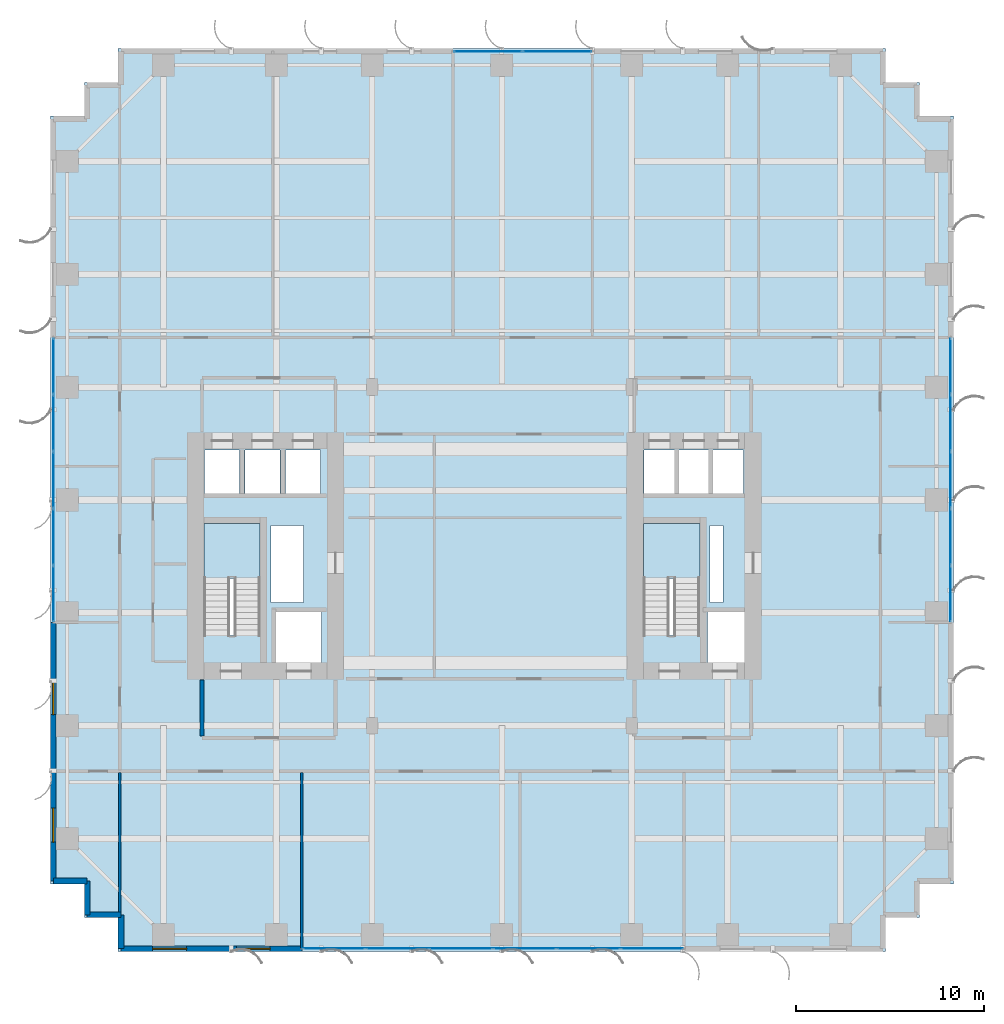
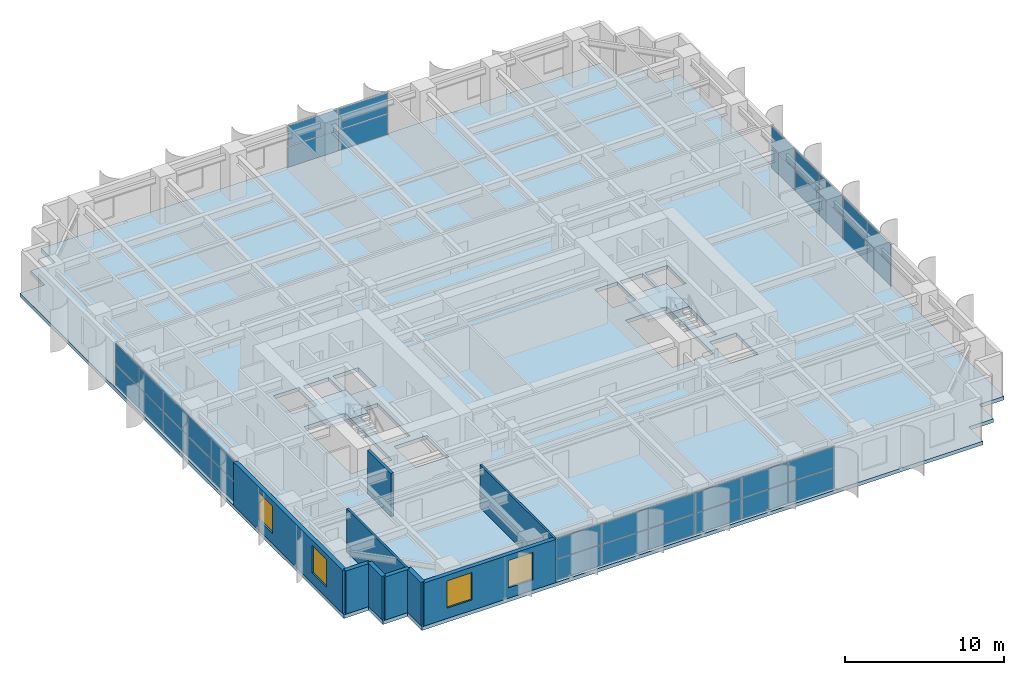
# One storey, part 17 of 25: 36 plates, 9 walls, 4 windows, 3 slabs, 4 openings, 6 elements without a shape of their own.
"""IFC4 building model written with IfcOpenShell, lengths in metres."""

from ifc_helpers import new_model, si_unit, direction, frame, frame_2d, origin, origin_2d, place, context, subcontext, project, spatial, polyline, rectangle, outline, extrude, source, transform, mapped, material, layer, layer_set, type_object, element, fill, aggregate, save


model = new_model("IFC4")

# Units and contexts
model_context = context("Model", 3, precision=1e-05, world=origin(), true_north=direction((0.0, 1.0)))
body_context = subcontext(model_context, "Body", "Model", "MODEL_VIEW")
ifc_project = project(units=[si_unit("LENGTHUNIT", "METRE"), si_unit("AREAUNIT", "SQUARE_METRE"), si_unit("VOLUMEUNIT", "CUBIC_METRE"), si_unit("PLANEANGLEUNIT", "RADIAN"), si_unit("MASSUNIT", "GRAM", prefix="KILO")], contexts=[model_context])

# Site, building, storey
site_placement = place(None, origin())
site = spatial("IfcSite", under=ifc_project, at=site_placement, CompositionType="ELEMENT")
building_placement = place(site_placement, origin())
building = spatial("IfcBuilding", under=site, at=building_placement, Name="Khoralis Quay Care Tower", CompositionType="ELEMENT")
storey_placement = place(building_placement, frame((0.0, 0.0, 51.300048828125)))
storey = spatial("IfcBuildingStorey", under=building, at=storey_placement, Name="L13", CompositionType="ELEMENT", Elevation=51.300048828125)

# Stair, slab
ifc_material_1 = material(Name="Precast concrete C45/55", Category="concrete")
stair_type = type_object("IfcStairType", Name="ST-TWR-DOGLEG-1400", PredefinedType="HALF_TURN_STAIR", material=ifc_material_1)
stair_1_placement = place(storey_placement, origin())
stair_1 = element("IfcStair", 1, at=stair_1_placement, inside=storey, type_object=stair_type, Name="L13 West Core Exit Stair ST-T1", PredefinedType="HALF_TURN_STAIR")
ifc_layer_1 = layer(ifc_material_1, 0.199951171875)
ifc_layer_set_1 = layer_set([ifc_layer_1], Name="Precast concrete C45/55")
slab_type_1 = type_object("IfcSlabType", Name="SLB-LANDING-200", PredefinedType="LANDING", material=ifc_layer_set_1)
slab_1_placement = place(storey_placement, frame((0.0, 0.0, 1.599853515625)))
slab_1 = element("IfcSlab", 2, at=slab_1_placement, type_object=slab_type_1, Name="ST-T1 landing 1", PredefinedType="LANDING", context=body_context, shape_type="SweptSolid", body=[
    extrude(outline(polyline([(11.14990234375, 19.840087890625), (11.14990234375, 22.75), (8.14990234375, 22.75), (8.14990234375, 19.840087890625), (11.14990234375, 19.840087890625)])), origin(), (0.0, 0.0, 1.0), 0.2001953125),
])
aggregate(stair_1, [slab_1])

stair_2_placement = place(storey_placement, origin())
stair_2 = element("IfcStair", 3, at=stair_2_placement, inside=storey, type_object=stair_type, Name="L13 East Core Exit Stair ST-T2", PredefinedType="HALF_TURN_STAIR")
slab_2_placement = place(storey_placement, frame((0.0, 0.0, 1.599853515625)))
slab_2 = element("IfcSlab", 4, at=slab_2_placement, type_object=slab_type_1, Name="ST-T2 landing 1", PredefinedType="LANDING", context=body_context, shape_type="SweptSolid", body=[
    extrude(outline(polyline([(34.52001953125, 19.840087890625), (34.52001953125, 22.75), (31.52001953125, 22.75), (31.52001953125, 19.840087890625), (34.52001953125, 19.840087890625)])), origin(), (0.0, 0.0, 1.0), 0.2001953125),
])
aggregate(stair_2, [slab_2])

# Slab
ifc_material_2 = material(Name="Concrete C40/50", Category="concrete")
ifc_layer_2 = layer(ifc_material_2, 0.280029296875)
ifc_layer_set_2 = layer_set([ifc_layer_2], Name="Concrete C40/50")
slab_type_2 = type_object("IfcSlabType", Name="SLB-TWR-280", PredefinedType="FLOOR", material=ifc_layer_set_2)
slab_3_placement = place(storey_placement, frame((0.0, 0.0, -0.280029296875)))
element("IfcSlab", 5, at=slab_3_placement, inside=storey, type_object=slab_type_2, Name="Tower Floor Slab L13", PredefinedType="FLOOR", context=body_context, shape_type="SweptSolid", body=[
    extrude(outline(polyline([(3.60009765625, 0.0), (44.39990234375, 0.0), (44.39990234375, 1.800048828125), (46.199951171875, 1.800048828125), (46.199951171875, 3.60009765625), (48.0, 3.60009765625), (48.0, 44.39990234375), (46.199951171875, 44.39990234375), (46.199951171875, 46.199951171875), (44.39990234375, 46.199951171875), (44.39990234375, 48.0), (3.60009765625, 48.0), (3.60009765625, 46.199951171875), (1.800048828125, 46.199951171875), (1.800048828125, 44.39990234375), (0.0, 44.39990234375), (0.0, 3.60009765625), (1.800048828125, 3.60009765625), (1.800048828125, 1.800048828125), (3.60009765625, 1.800048828125), (3.60009765625, 0.0)]), holes=[polyline([(11.14990234375, 16.800048828125), (11.14990234375, 22.75), (8.14990234375, 22.75), (8.14990234375, 16.800048828125), (11.14990234375, 16.800048828125)]), polyline([(34.52001953125, 16.800048828125), (34.52001953125, 22.75), (31.52001953125, 22.75), (31.52001953125, 16.800048828125), (34.52001953125, 16.800048828125)]), polyline([(12.0, 15.35009765625), (14.39990234375, 15.35009765625), (14.39990234375, 18.050048828125), (12.0, 18.050048828125), (12.0, 15.35009765625)]), polyline([(34.919921875, 15.35009765625), (36.8798828125, 15.35009765625), (36.8798828125, 18.050048828125), (34.919921875, 18.050048828125), (34.919921875, 15.35009765625)]), polyline([(8.199951171875, 24.35009765625), (10.050048828125, 24.35009765625), (10.050048828125, 26.64990234375), (8.199951171875, 26.64990234375), (8.199951171875, 24.35009765625)]), polyline([(31.550048828125, 24.35009765625), (33.199951171875, 24.35009765625), (33.199951171875, 26.64990234375), (31.550048828125, 26.64990234375), (31.550048828125, 24.35009765625)]), polyline([(10.35009765625, 24.35009765625), (12.199951171875, 24.35009765625), (12.199951171875, 26.64990234375), (10.35009765625, 26.64990234375), (10.35009765625, 24.35009765625)]), polyline([(33.3798828125, 24.35009765625), (35.030029296875, 24.35009765625), (35.030029296875, 26.64990234375), (33.3798828125, 26.64990234375), (33.3798828125, 24.35009765625)]), polyline([(12.5, 24.35009765625), (14.35009765625, 24.35009765625), (14.35009765625, 26.64990234375), (12.5, 26.64990234375), (12.5, 24.35009765625)]), polyline([(35.199951171875, 24.35009765625), (36.85009765625, 24.35009765625), (36.85009765625, 26.64990234375), (35.199951171875, 26.64990234375), (35.199951171875, 24.35009765625)]), polyline([(11.719970703125, 18.550048828125), (13.449951171875, 18.550048828125), (13.449951171875, 22.64990234375), (11.719970703125, 22.64990234375), (11.719970703125, 18.550048828125)]), polyline([(35.050048828125, 18.550048828125), (35.75, 18.550048828125), (35.75, 22.64990234375), (35.050048828125, 22.64990234375), (35.050048828125, 18.550048828125)])]), origin(), (0.0, 0.0, 1.0), 0.280029296875),
])

# Curtain wall, plates
ifc_material_3 = material(Name="Pale anodised aluminium", Category="aluminium")
ifc_layer_3 = layer(ifc_material_3, 0.179931640625)
ifc_layer_set_3 = layer_set([ifc_layer_3], Name="Pale anodised aluminium")
curtain_wall_type = type_object("IfcCurtainWallType", Name="CW-SYS-Z1", PredefinedType="NOTDEFINED", material=ifc_layer_set_3)
curtain_wall_1_placement = place(storey_placement, origin())
curtain_wall_1 = element("IfcCurtainWall", 6, at=curtain_wall_1_placement, inside=storey, type_object=curtain_wall_type, Name="L13 Unitised Curtain Wall CW-L13-P1-E5", PredefinedType="NOTDEFINED")
ifc_material_4 = material(Name="Low-E solar-control double glazing", Category="glass")
ifc_layer_4 = layer(ifc_material_4, 0.031982421875)
ifc_layer_set_4 = layer_set([ifc_layer_4], Name="Low-E solar-control double glazing")
plate_type = type_object("IfcPlateType", Name="PNL-VIS-32", PredefinedType="CURTAIN_PANEL", material=ifc_layer_set_4)
shared_shape_1 = source(origin(), body_context, "Body", "SweptSolid", [
    extrude(rectangle(XDim=2.93798828125, YDim=0.028076171875, at=origin_2d()), origin(), (0.0, 0.0, 1.0), 1.570068359375),
])
plate_1_placement = place(storey_placement, frame((47.85009765625, 19.029052734375, 0.06005859375), z_axis=(0.0, 0.0, 1.0), x_axis=(0.0, 1.0, 0.0)))
plate_1 = element("IfcPlate", 7, at=plate_1_placement, type_object=plate_type, Name="CW1 panel 1.1", PredefinedType="CURTAIN_PANEL", context=body_context, shape_type="MappedRepresentation", body=[
    mapped(shared_shape_1, transform((0.0, 0.0, 0.0), scale=1.0)),
])
plate_2_placement = place(storey_placement, frame((47.85009765625, 19.029052734375, 1.68994140625), z_axis=(0.0, 0.0, 1.0), x_axis=(0.0, 1.0, 0.0)))
plate_2 = element("IfcPlate", 8, at=plate_2_placement, type_object=plate_type, Name="CW1 panel 1.2", PredefinedType="CURTAIN_PANEL", context=body_context, shape_type="MappedRepresentation", body=[
    mapped(shared_shape_1, transform((0.0, 0.0, 0.0), scale=1.0)),
])
plate_3_placement = place(storey_placement, frame((47.85009765625, 31.111083984375, 0.06005859375), z_axis=(0.0, 0.0, 1.0), x_axis=(0.0, 1.0, 0.0)))
plate_3 = element("IfcPlate", 9, at=plate_3_placement, type_object=plate_type, Name="CW1 panel 5.1", PredefinedType="CURTAIN_PANEL", context=body_context, shape_type="MappedRepresentation", body=[
    mapped(shared_shape_1, transform((0.0, 0.0, 0.0), scale=1.0)),
])
plate_4_placement = place(storey_placement, frame((47.85009765625, 31.111083984375, 1.68994140625), z_axis=(0.0, 0.0, 1.0), x_axis=(0.0, 1.0, 0.0)))
plate_4 = element("IfcPlate", 10, at=plate_4_placement, type_object=plate_type, Name="CW1 panel 5.2", PredefinedType="CURTAIN_PANEL", context=body_context, shape_type="MappedRepresentation", body=[
    mapped(shared_shape_1, transform((0.0, 0.0, 0.0), scale=1.0)),
])

curtain_wall_2_placement = place(storey_placement, origin())
curtain_wall_2 = element("IfcCurtainWall", 11, at=curtain_wall_2_placement, inside=storey, type_object=curtain_wall_type, Name="L13 Unitised Curtain Wall CW-L13-P1-E15", PredefinedType="NOTDEFINED")
plate_5_placement = place(storey_placement, frame((0.14990234375, 31.111083984375, 0.06005859375), z_axis=(0.0, 0.0, 1.0), x_axis=(0.0, -1.0, 0.0)))
plate_5 = element("IfcPlate", 12, at=plate_5_placement, type_object=plate_type, Name="CW1 panel 1.1", PredefinedType="CURTAIN_PANEL", context=body_context, shape_type="MappedRepresentation", body=[
    mapped(shared_shape_1, transform((0.0, 0.0, 0.0), scale=1.0)),
])
plate_6_placement = place(storey_placement, frame((0.14990234375, 31.111083984375, 1.68994140625), z_axis=(0.0, 0.0, 1.0), x_axis=(0.0, -1.0, 0.0)))
plate_6 = element("IfcPlate", 13, at=plate_6_placement, type_object=plate_type, Name="CW1 panel 1.2", PredefinedType="CURTAIN_PANEL", context=body_context, shape_type="MappedRepresentation", body=[
    mapped(shared_shape_1, transform((0.0, 0.0, 0.0), scale=1.0)),
])
plate_7_placement = place(storey_placement, frame((0.14990234375, 19.029052734375, 0.06005859375), z_axis=(0.0, 0.0, 1.0), x_axis=(0.0, -1.0, 0.0)))
plate_7 = element("IfcPlate", 14, at=plate_7_placement, type_object=plate_type, Name="CW1 panel 5.1", PredefinedType="CURTAIN_PANEL", context=body_context, shape_type="MappedRepresentation", body=[
    mapped(shared_shape_1, transform((0.0, 0.0, 0.0), scale=1.0)),
])
plate_8_placement = place(storey_placement, frame((0.14990234375, 19.029052734375, 1.68994140625), z_axis=(0.0, 0.0, 1.0), x_axis=(0.0, -1.0, 0.0)))
plate_8 = element("IfcPlate", 15, at=plate_8_placement, type_object=plate_type, Name="CW1 panel 5.2", PredefinedType="CURTAIN_PANEL", context=body_context, shape_type="MappedRepresentation", body=[
    mapped(shared_shape_1, transform((0.0, 0.0, 0.0), scale=1.0)),
])

# Plate
shared_shape_2 = source(origin(), body_context, "Body", "SweptSolid", [
    extrude(rectangle(XDim=2.968017578125, YDim=0.028076171875, at=origin_2d()), origin(), (0.0, 0.0, 1.0), 1.570068359375),
])
plate_9_placement = place(storey_placement, frame((47.85009765625, 22.0419921875, 0.06005859375), z_axis=(0.0, 0.0, 1.0), x_axis=(0.0, 1.0, 0.0)))
plate_9 = element("IfcPlate", 16, at=plate_9_placement, type_object=plate_type, Name="CW1 panel 2.1", PredefinedType="CURTAIN_PANEL", context=body_context, shape_type="MappedRepresentation", body=[
    mapped(shared_shape_2, transform((0.0, 0.0, 0.0), scale=1.0)),
])

plate_10_placement = place(storey_placement, frame((47.85009765625, 22.0419921875, 1.68994140625), z_axis=(0.0, 0.0, 1.0), x_axis=(0.0, 1.0, 0.0)))
plate_10 = element("IfcPlate", 17, at=plate_10_placement, type_object=plate_type, Name="CW1 panel 2.2", PredefinedType="CURTAIN_PANEL", context=body_context, shape_type="MappedRepresentation", body=[
    mapped(shared_shape_2, transform((0.0, 0.0, 0.0), scale=1.0)),
])

plate_11_placement = place(storey_placement, frame((47.85009765625, 25.070068359375, 0.06005859375), z_axis=(0.0, 0.0, 1.0), x_axis=(0.0, 1.0, 0.0)))
plate_11 = element("IfcPlate", 18, at=plate_11_placement, type_object=plate_type, Name="CW1 panel 3.1", PredefinedType="CURTAIN_PANEL", context=body_context, shape_type="MappedRepresentation", body=[
    mapped(shared_shape_2, transform((0.0, 0.0, 0.0), scale=1.0)),
])

plate_12_placement = place(storey_placement, frame((47.85009765625, 25.070068359375, 1.68994140625), z_axis=(0.0, 0.0, 1.0), x_axis=(0.0, 1.0, 0.0)))
plate_12 = element("IfcPlate", 19, at=plate_12_placement, type_object=plate_type, Name="CW1 panel 3.2", PredefinedType="CURTAIN_PANEL", context=body_context, shape_type="MappedRepresentation", body=[
    mapped(shared_shape_2, transform((0.0, 0.0, 0.0), scale=1.0)),
])

plate_13_placement = place(storey_placement, frame((47.85009765625, 28.097900390625, 0.06005859375), z_axis=(0.0, 0.0, 1.0), x_axis=(0.0, 1.0, 0.0)))
plate_13 = element("IfcPlate", 20, at=plate_13_placement, type_object=plate_type, Name="CW1 panel 4.1", PredefinedType="CURTAIN_PANEL", context=body_context, shape_type="MappedRepresentation", body=[
    mapped(shared_shape_2, transform((0.0, 0.0, 0.0), scale=1.0)),
])

plate_14_placement = place(storey_placement, frame((47.85009765625, 28.097900390625, 1.68994140625), z_axis=(0.0, 0.0, 1.0), x_axis=(0.0, 1.0, 0.0)))
plate_14 = element("IfcPlate", 21, at=plate_14_placement, type_object=plate_type, Name="CW1 panel 4.2", PredefinedType="CURTAIN_PANEL", context=body_context, shape_type="MappedRepresentation", body=[
    mapped(shared_shape_2, transform((0.0, 0.0, 0.0), scale=1.0)),
])

aggregate(curtain_wall_1, [plate_1, plate_2, plate_9, plate_10, plate_11, plate_12, plate_13, plate_14, plate_3, plate_4])

plate_15_placement = place(storey_placement, frame((0.14990234375, 28.097900390625, 0.06005859375), z_axis=(0.0, 0.0, 1.0), x_axis=(0.0, -1.0, 0.0)))
plate_15 = element("IfcPlate", 22, at=plate_15_placement, type_object=plate_type, Name="CW1 panel 2.1", PredefinedType="CURTAIN_PANEL", context=body_context, shape_type="MappedRepresentation", body=[
    mapped(shared_shape_2, transform((0.0, 0.0, 0.0), scale=1.0)),
])

plate_16_placement = place(storey_placement, frame((0.14990234375, 28.097900390625, 1.68994140625), z_axis=(0.0, 0.0, 1.0), x_axis=(0.0, -1.0, 0.0)))
plate_16 = element("IfcPlate", 23, at=plate_16_placement, type_object=plate_type, Name="CW1 panel 2.2", PredefinedType="CURTAIN_PANEL", context=body_context, shape_type="MappedRepresentation", body=[
    mapped(shared_shape_2, transform((0.0, 0.0, 0.0), scale=1.0)),
])

plate_17_placement = place(storey_placement, frame((0.14990234375, 25.070068359375, 0.06005859375), z_axis=(0.0, 0.0, 1.0), x_axis=(0.0, -1.0, 0.0)))
plate_17 = element("IfcPlate", 24, at=plate_17_placement, type_object=plate_type, Name="CW1 panel 3.1", PredefinedType="CURTAIN_PANEL", context=body_context, shape_type="MappedRepresentation", body=[
    mapped(shared_shape_2, transform((0.0, 0.0, 0.0), scale=1.0)),
])

plate_18_placement = place(storey_placement, frame((0.14990234375, 25.070068359375, 1.68994140625), z_axis=(0.0, 0.0, 1.0), x_axis=(0.0, -1.0, 0.0)))
plate_18 = element("IfcPlate", 25, at=plate_18_placement, type_object=plate_type, Name="CW1 panel 3.2", PredefinedType="CURTAIN_PANEL", context=body_context, shape_type="MappedRepresentation", body=[
    mapped(shared_shape_2, transform((0.0, 0.0, 0.0), scale=1.0)),
])

plate_19_placement = place(storey_placement, frame((0.14990234375, 22.0419921875, 0.06005859375), z_axis=(0.0, 0.0, 1.0), x_axis=(0.0, -1.0, 0.0)))
plate_19 = element("IfcPlate", 26, at=plate_19_placement, type_object=plate_type, Name="CW1 panel 4.1", PredefinedType="CURTAIN_PANEL", context=body_context, shape_type="MappedRepresentation", body=[
    mapped(shared_shape_2, transform((0.0, 0.0, 0.0), scale=1.0)),
])

plate_20_placement = place(storey_placement, frame((0.14990234375, 22.0419921875, 1.68994140625), z_axis=(0.0, 0.0, 1.0), x_axis=(0.0, -1.0, 0.0)))
plate_20 = element("IfcPlate", 27, at=plate_20_placement, type_object=plate_type, Name="CW1 panel 4.2", PredefinedType="CURTAIN_PANEL", context=body_context, shape_type="MappedRepresentation", body=[
    mapped(shared_shape_2, transform((0.0, 0.0, 0.0), scale=1.0)),
])

aggregate(curtain_wall_2, [plate_5, plate_6, plate_15, plate_16, plate_17, plate_18, plate_19, plate_20, plate_7, plate_8])

# Curtain wall, plates
curtain_wall_3_placement = place(storey_placement, origin())
curtain_wall_3 = element("IfcCurtainWall", 28, at=curtain_wall_3_placement, inside=storey, type_object=curtain_wall_type, Name="L13 Unitised Curtain Wall CW-L13-P1-E0", PredefinedType="NOTDEFINED")
shared_shape_3 = source(origin(), body_context, "Body", "SweptSolid", [
    extrude(rectangle(XDim=3.296630859375, YDim=0.028076171875, at=origin_2d()), origin(), (0.0, 0.0, 1.0), 1.570068359375),
])
plate_21_placement = place(storey_placement, frame((15.068359375, 0.14990234375, 0.06005859375), z_axis=(0.0, 0.0, 1.0), x_axis=(1.0, 0.0, 0.0)))
plate_21 = element("IfcPlate", 29, at=plate_21_placement, type_object=plate_type, Name="CW1 panel 1.1", PredefinedType="CURTAIN_PANEL", context=body_context, shape_type="MappedRepresentation", body=[
    mapped(shared_shape_3, transform((0.0, 0.0, 0.0), scale=1.0)),
])
plate_22_placement = place(storey_placement, frame((15.068359375, 0.14990234375, 1.68994140625), z_axis=(0.0, 0.0, 1.0), x_axis=(1.0, 0.0, 0.0)))
plate_22 = element("IfcPlate", 30, at=plate_22_placement, type_object=plate_type, Name="CW1 panel 1.2", PredefinedType="CURTAIN_PANEL", context=body_context, shape_type="MappedRepresentation", body=[
    mapped(shared_shape_3, transform((0.0, 0.0, 0.0), scale=1.0)),
])
plate_23_placement = place(storey_placement, frame((31.9716796875, 0.14990234375, 0.06005859375), z_axis=(0.0, 0.0, 1.0), x_axis=(1.0, 0.0, 0.0)))
plate_23 = element("IfcPlate", 31, at=plate_23_placement, type_object=plate_type, Name="CW1 panel 6.1", PredefinedType="CURTAIN_PANEL", context=body_context, shape_type="MappedRepresentation", body=[
    mapped(shared_shape_3, transform((0.0, 0.0, 0.0), scale=1.0)),
])
plate_24_placement = place(storey_placement, frame((31.9716796875, 0.14990234375, 1.68994140625), z_axis=(0.0, 0.0, 1.0), x_axis=(1.0, 0.0, 0.0)))
plate_24 = element("IfcPlate", 32, at=plate_24_placement, type_object=plate_type, Name="CW1 panel 6.2", PredefinedType="CURTAIN_PANEL", context=body_context, shape_type="MappedRepresentation", body=[
    mapped(shared_shape_3, transform((0.0, 0.0, 0.0), scale=1.0)),
])
shared_shape_4 = source(origin(), body_context, "Body", "SweptSolid", [
    extrude(rectangle(XDim=3.32666015625, YDim=0.028076171875, at=origin_2d()), origin(), (0.0, 0.0, 1.0), 1.570068359375),
])
plate_25_placement = place(storey_placement, frame((18.43994140625, 0.14990234375, 0.06005859375), z_axis=(0.0, 0.0, 1.0), x_axis=(1.0, 0.0, 0.0)))
plate_25 = element("IfcPlate", 33, at=plate_25_placement, type_object=plate_type, Name="CW1 panel 2.1", PredefinedType="CURTAIN_PANEL", context=body_context, shape_type="MappedRepresentation", body=[
    mapped(shared_shape_4, transform((0.0, 0.0, 0.0), scale=1.0)),
])
plate_26_placement = place(storey_placement, frame((18.43994140625, 0.14990234375, 1.68994140625), z_axis=(0.0, 0.0, 1.0), x_axis=(1.0, 0.0, 0.0)))
plate_26 = element("IfcPlate", 34, at=plate_26_placement, type_object=plate_type, Name="CW1 panel 2.2", PredefinedType="CURTAIN_PANEL", context=body_context, shape_type="MappedRepresentation", body=[
    mapped(shared_shape_4, transform((0.0, 0.0, 0.0), scale=1.0)),
])
plate_27_placement = place(storey_placement, frame((21.82666015625, 0.14990234375, 0.06005859375), z_axis=(0.0, 0.0, 1.0), x_axis=(1.0, 0.0, 0.0)))
plate_27 = element("IfcPlate", 35, at=plate_27_placement, type_object=plate_type, Name="CW1 panel 3.1", PredefinedType="CURTAIN_PANEL", context=body_context, shape_type="MappedRepresentation", body=[
    mapped(shared_shape_4, transform((0.0, 0.0, 0.0), scale=1.0)),
])
plate_28_placement = place(storey_placement, frame((21.82666015625, 0.14990234375, 1.68994140625), z_axis=(0.0, 0.0, 1.0), x_axis=(1.0, 0.0, 0.0)))
plate_28 = element("IfcPlate", 36, at=plate_28_placement, type_object=plate_type, Name="CW1 panel 3.2", PredefinedType="CURTAIN_PANEL", context=body_context, shape_type="MappedRepresentation", body=[
    mapped(shared_shape_4, transform((0.0, 0.0, 0.0), scale=1.0)),
])
plate_29_placement = place(storey_placement, frame((25.21337890625, 0.14990234375, 0.06005859375), z_axis=(0.0, 0.0, 1.0), x_axis=(1.0, 0.0, 0.0)))
plate_29 = element("IfcPlate", 37, at=plate_29_placement, type_object=plate_type, Name="CW1 panel 4.1", PredefinedType="CURTAIN_PANEL", context=body_context, shape_type="MappedRepresentation", body=[
    mapped(shared_shape_4, transform((0.0, 0.0, 0.0), scale=1.0)),
])
plate_30_placement = place(storey_placement, frame((25.21337890625, 0.14990234375, 1.68994140625), z_axis=(0.0, 0.0, 1.0), x_axis=(1.0, 0.0, 0.0)))
plate_30 = element("IfcPlate", 38, at=plate_30_placement, type_object=plate_type, Name="CW1 panel 4.2", PredefinedType="CURTAIN_PANEL", context=body_context, shape_type="MappedRepresentation", body=[
    mapped(shared_shape_4, transform((0.0, 0.0, 0.0), scale=1.0)),
])
plate_31_placement = place(storey_placement, frame((28.60009765625, 0.14990234375, 0.06005859375), z_axis=(0.0, 0.0, 1.0), x_axis=(1.0, 0.0, 0.0)))
plate_31 = element("IfcPlate", 39, at=plate_31_placement, type_object=plate_type, Name="CW1 panel 5.1", PredefinedType="CURTAIN_PANEL", context=body_context, shape_type="MappedRepresentation", body=[
    mapped(shared_shape_4, transform((0.0, 0.0, 0.0), scale=1.0)),
])
plate_32_placement = place(storey_placement, frame((28.60009765625, 0.14990234375, 1.68994140625), z_axis=(0.0, 0.0, 1.0), x_axis=(1.0, 0.0, 0.0)))
plate_32 = element("IfcPlate", 40, at=plate_32_placement, type_object=plate_type, Name="CW1 panel 5.2", PredefinedType="CURTAIN_PANEL", context=body_context, shape_type="MappedRepresentation", body=[
    mapped(shared_shape_4, transform((0.0, 0.0, 0.0), scale=1.0)),
])
aggregate(curtain_wall_3, [plate_21, plate_22, plate_25, plate_26, plate_27, plate_28, plate_29, plate_30, plate_31, plate_32, plate_23, plate_24])

curtain_wall_4_placement = place(storey_placement, origin())
curtain_wall_4 = element("IfcCurtainWall", 41, at=curtain_wall_4_placement, inside=storey, type_object=curtain_wall_type, Name="L13 Unitised Curtain Wall CW-L13-P1-E10", PredefinedType="NOTDEFINED")
shared_shape_5 = source(origin(), body_context, "Body", "SweptSolid", [
    extrude(rectangle(XDim=3.610107421875, YDim=0.028076171875, at=origin_2d()), origin(), (0.0, 0.0, 1.0), 1.570068359375),
])
plate_33_placement = place(storey_placement, frame((26.93505859375, 47.85009765625, 0.06005859375), z_axis=(0.0, 0.0, 1.0), x_axis=(-1.0, 0.0, 0.0)))
plate_33 = element("IfcPlate", 42, at=plate_33_placement, type_object=plate_type, Name="CW1 panel 1.1", PredefinedType="CURTAIN_PANEL", context=body_context, shape_type="MappedRepresentation", body=[
    mapped(shared_shape_5, transform((0.0, 0.0, 0.0), scale=1.0)),
])
plate_34_placement = place(storey_placement, frame((26.93505859375, 47.85009765625, 1.68994140625), z_axis=(0.0, 0.0, 1.0), x_axis=(-1.0, 0.0, 0.0)))
plate_34 = element("IfcPlate", 43, at=plate_34_placement, type_object=plate_type, Name="CW1 panel 1.2", PredefinedType="CURTAIN_PANEL", context=body_context, shape_type="MappedRepresentation", body=[
    mapped(shared_shape_5, transform((0.0, 0.0, 0.0), scale=1.0)),
])
plate_35_placement = place(storey_placement, frame((23.264892578125, 47.85009765625, 0.06005859375), z_axis=(0.0, 0.0, 1.0), x_axis=(-1.0, 0.0, 0.0)))
plate_35 = element("IfcPlate", 44, at=plate_35_placement, type_object=plate_type, Name="CW1 panel 2.1", PredefinedType="CURTAIN_PANEL", context=body_context, shape_type="MappedRepresentation", body=[
    mapped(shared_shape_5, transform((0.0, 0.0, 0.0), scale=1.0)),
])
plate_36_placement = place(storey_placement, frame((23.264892578125, 47.85009765625, 1.68994140625), z_axis=(0.0, 0.0, 1.0), x_axis=(-1.0, 0.0, 0.0)))
plate_36 = element("IfcPlate", 45, at=plate_36_placement, type_object=plate_type, Name="CW1 panel 2.2", PredefinedType="CURTAIN_PANEL", context=body_context, shape_type="MappedRepresentation", body=[
    mapped(shared_shape_5, transform((0.0, 0.0, 0.0), scale=1.0)),
])
aggregate(curtain_wall_4, [plate_33, plate_34, plate_35, plate_36])

# Wall
ifc_material_5 = material(Name="Gypsum plasterboard on acoustic metal stud")
ifc_layer_5 = layer(ifc_material_5, 0.199951171875)
ifc_layer_set_5 = layer_set([ifc_layer_5], Name="Gypsum plasterboard on acoustic metal stud")
wall_type_1 = type_object("IfcWallType", Name="WL-COMP-200", PredefinedType="PARTITIONING", material=ifc_layer_set_5)
wall_1_placement = place(storey_placement, frame((8.050048828125, 11.445068359375, 0.0), z_axis=(0.0, 0.0, 1.0), x_axis=(0.0, 1.0, 0.0)))
element("IfcWall", 46, at=wall_1_placement, inside=storey, type_object=wall_type_1, Name="L13 West Firefighting Lobby West Wall", PredefinedType="PARTITIONING", context=body_context, shape_type="SweptSolid", body=[
    extrude(rectangle(XDim=2.98486328125, YDim=0.199951171875, at=frame_2d((1.492431640625, 0.0))), origin(), (0.0, 0.0, 1.0), 3.320068359375),
])

# Wall, openings, windows
ifc_layer_6 = layer(ifc_material_1, 0.300048828125)
ifc_layer_set_6 = layer_set([ifc_layer_6], Name="Precast concrete C45/55")
wall_type_2 = type_object("IfcWallType", Name="WL-EXT-REF-300", PredefinedType="SOLIDWALL", material=ifc_layer_set_6)
wall_2_placement = place(storey_placement, frame((3.75, 0.14990234375, 0.0), z_axis=(0.0, 0.0, 1.0), x_axis=(1.0, 0.0, 0.0)))
wall_2 = element("IfcWall", 47, at=wall_2_placement, inside=storey, type_object=wall_type_2, Name="L13 External Facade Wall WL-EXT-L13-P1-E0A", PredefinedType="SOLIDWALL", context=body_context, shape_type="SweptSolid", body=[
    extrude(rectangle(XDim=9.610107421875, YDim=0.300048828125, at=frame_2d((4.80517578125, 0.0))), origin(), (0.0, 0.0, 1.0), 3.320068359375),
])
opening_1_placement = place(wall_2_placement, frame((1.6826171875, 0.0, 0.800048828125)))
opening_1 = element("IfcOpeningElement", 48, at=opening_1_placement, cuts=wall_2, Name="Opening W2", PredefinedType="OPENING", context=body_context, shape_type="SweptSolid", body=[
    extrude(rectangle(XDim=1.800048828125, YDim=2.10009765625, at=frame_2d((0.89990234375, 1.050048828125))), frame((0.0, 0.16015625, 0.0), z_axis=(0.0, -1.0, 0.0), x_axis=(1.0, 0.0, 0.0)), (0.0, 0.0, 1.0), 0.320068359375),
])
opening_2_placement = place(wall_2_placement, frame((6.12744140625, 0.0, 0.800048828125)))
opening_2 = element("IfcOpeningElement", 49, at=opening_2_placement, cuts=wall_2, Name="Opening W2", PredefinedType="OPENING", context=body_context, shape_type="SweptSolid", body=[
    extrude(rectangle(XDim=1.800048828125, YDim=2.10009765625, at=frame_2d((0.89990234375, 1.050048828125))), frame((0.0, 0.16015625, 0.0), z_axis=(0.0, -1.0, 0.0), x_axis=(1.0, 0.0, 0.0)), (0.0, 0.0, 1.0), 0.320068359375),
])
window_type = type_object("IfcWindowType", Name="WN-POD-1800X2100", PartitioningType="SINGLE_PANEL", PredefinedType="WINDOW", material=ifc_material_4)
shared_shape_6 = source(origin(), body_context, "Body", "SweptSolid", [
    extrude(rectangle(XDim=1.800048828125, YDim=2.10009765625, at=frame_2d((0.89990234375, 1.050048828125))), frame((0.0, 0.030029296875, 0.0), z_axis=(0.0, -1.0, 0.0), x_axis=(1.0, 0.0, 0.0)), (0.0, 0.0, 1.0), 0.06005859375),
])
window_1_placement = place(opening_1_placement, origin())
window_1 = element("IfcWindow", 50, at=window_1_placement, inside=storey, type_object=window_type, Name="WN-L13-P1-E0A Facade Window 01", OverallHeight=2.10009765625, OverallWidth=1.800048828125, PartitioningType="SINGLE_PANEL", PredefinedType="WINDOW", context=body_context, shape_type="MappedRepresentation", body=[
    mapped(shared_shape_6, transform((0.0, 0.0, 0.0), scale=1.0)),
])
fill(opening_1, window_1)
window_2_placement = place(opening_2_placement, origin())
window_2 = element("IfcWindow", 51, at=window_2_placement, inside=storey, type_object=window_type, Name="WN-L13-P1-E0A Facade Window 02", OverallHeight=2.10009765625, OverallWidth=1.800048828125, PartitioningType="SINGLE_PANEL", PredefinedType="WINDOW", context=body_context, shape_type="MappedRepresentation", body=[
    mapped(shared_shape_6, transform((0.0, 0.0, 0.0), scale=1.0)),
])
fill(opening_2, window_2)

wall_3_placement = place(storey_placement, frame((0.14990234375, 17.5, 0.0), z_axis=(0.0, 0.0, 1.0), x_axis=(0.0, -1.0, 0.0)))
wall_3 = element("IfcWall", 52, at=wall_3_placement, inside=storey, type_object=wall_type_2, Name="L13 External Facade Wall WL-EXT-L13-P1-E15B", PredefinedType="SOLIDWALL", context=body_context, shape_type="SweptSolid", body=[
    extrude(rectangle(XDim=13.75, YDim=0.300048828125, at=frame_2d((6.875, 0.0))), origin(), (0.0, 0.0, 1.0), 3.320068359375),
])
opening_3_placement = place(wall_3_placement, frame((3.110107421875, 0.0, 0.800048828125)))
opening_3 = element("IfcOpeningElement", 53, at=opening_3_placement, cuts=wall_3, Name="Opening W2", PredefinedType="OPENING", context=body_context, shape_type="SweptSolid", body=[
    extrude(rectangle(XDim=1.800048828125, YDim=2.10009765625, at=frame_2d((0.89990234375, 1.050048828125))), frame((0.0, 0.16015625, 0.0), z_axis=(0.0, -1.0, 0.0), x_axis=(1.0, 0.0, 0.0)), (0.0, 0.0, 1.0), 0.320068359375),
])
opening_4_placement = place(wall_3_placement, frame((9.885009765625, 0.0, 0.800048828125)))
opening_4 = element("IfcOpeningElement", 54, at=opening_4_placement, cuts=wall_3, Name="Opening W2", PredefinedType="OPENING", context=body_context, shape_type="SweptSolid", body=[
    extrude(rectangle(XDim=1.800048828125, YDim=2.10009765625, at=frame_2d((0.89990234375, 1.050048828125))), frame((0.0, 0.16015625, 0.0), z_axis=(0.0, -1.0, 0.0), x_axis=(1.0, 0.0, 0.0)), (0.0, 0.0, 1.0), 0.320068359375),
])
window_3_placement = place(opening_3_placement, origin())
window_3 = element("IfcWindow", 55, at=window_3_placement, inside=storey, type_object=window_type, Name="WN-L13-P1-E15B Facade Window 01", OverallHeight=2.10009765625, OverallWidth=1.800048828125, PartitioningType="SINGLE_PANEL", PredefinedType="WINDOW", context=body_context, shape_type="MappedRepresentation", body=[
    mapped(shared_shape_6, transform((0.0, 0.0, 0.0), scale=1.0)),
])
fill(opening_3, window_3)
window_4_placement = place(opening_4_placement, origin())
window_4 = element("IfcWindow", 56, at=window_4_placement, inside=storey, type_object=window_type, Name="WN-L13-P1-E15B Facade Window 02", OverallHeight=2.10009765625, OverallWidth=1.800048828125, PartitioningType="SINGLE_PANEL", PredefinedType="WINDOW", context=body_context, shape_type="MappedRepresentation", body=[
    mapped(shared_shape_6, transform((0.0, 0.0, 0.0), scale=1.0)),
])
fill(opening_4, window_4)

# Walls
for number, where, z_axis, x_axis, name in (
    (57, (0.14990234375, 3.75, 0.0), (0.0, 0.0, 1.0), (1.0, 0.0, 0.0), "L13 External Facade Wall WL-EXT-L13-P1-C16"),
    (58, (1.949951171875, 3.75, 0.0), (0.0, 0.0, 1.0), (0.0, -1.0, 0.0), "L13 External Facade Wall WL-EXT-L13-P1-C17"),
    (59, (1.949951171875, 1.949951171875, 0.0), (0.0, 0.0, 1.0), (1.0, 0.0, 0.0), "L13 External Facade Wall WL-EXT-L13-P1-C18"),
    (60, (3.75, 1.949951171875, 0.0), (0.0, 0.0, 1.0), (0.0, -1.0, 0.0), "L13 External Facade Wall WL-EXT-L13-P1-C19"),
):
    element("IfcWall", number, at=place(storey_placement, frame(where, z_axis=z_axis, x_axis=x_axis)), inside=storey, type_object=wall_type_2, Name=name, PredefinedType="SOLIDWALL", context=body_context, shape_type="SweptSolid", body=[
        extrude(rectangle(XDim=1.800048828125, YDim=0.300048828125, at=frame_2d((0.89990234375, 0.0))), origin(), (0.0, 0.0, 1.0), 3.320068359375),
    ])
ifc_layer_7 = layer(ifc_material_5, 0.139892578125)
ifc_layer_set_7 = layer_set([ifc_layer_7], Name="Gypsum plasterboard on acoustic metal stud")
wall_type_3 = type_object("IfcWallType", Name="WL-UNIT-140", PredefinedType="PARTITIONING", material=ifc_layer_set_7)
wall_4_placement = place(storey_placement, frame((3.679931640625, 1.945068359375, 0.0), z_axis=(0.0, 0.0, 1.0), x_axis=(0.0, 1.0, 0.0)))
element("IfcWall", 61, at=wall_4_placement, inside=storey, type_object=wall_type_3, Name="L13 SB Demising Wall 0", PredefinedType="PARTITIONING", context=body_context, shape_type="SweptSolid", body=[
    extrude(rectangle(XDim=7.557373046875, YDim=0.139892578125, at=frame_2d((3.77880859375, 0.0))), origin(), (0.0, 0.0, 1.0), 3.320068359375),
])
wall_5_placement = place(storey_placement, frame((13.360107421875, 0.14501953125, 0.0), z_axis=(0.0, 0.0, 1.0), x_axis=(0.0, 1.0, 0.0)))
element("IfcWall", 62, at=wall_5_placement, inside=storey, type_object=wall_type_3, Name="L13 SB Demising Wall 1", PredefinedType="PARTITIONING", context=body_context, shape_type="SweptSolid", body=[
    extrude(rectangle(XDim=9.357421875, YDim=0.139892578125, at=frame_2d((4.6787109375, 0.0))), origin(), (0.0, 0.0, 1.0), 3.320068359375),
])

save(model, "model.ifc")
